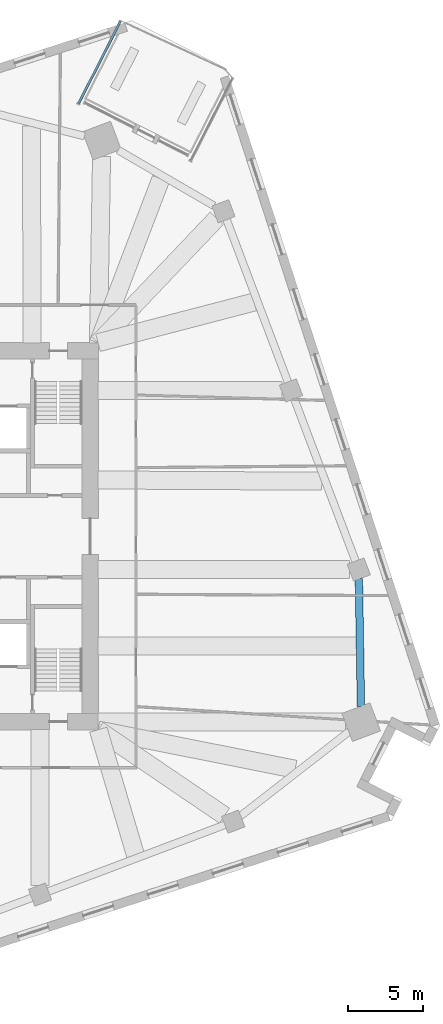
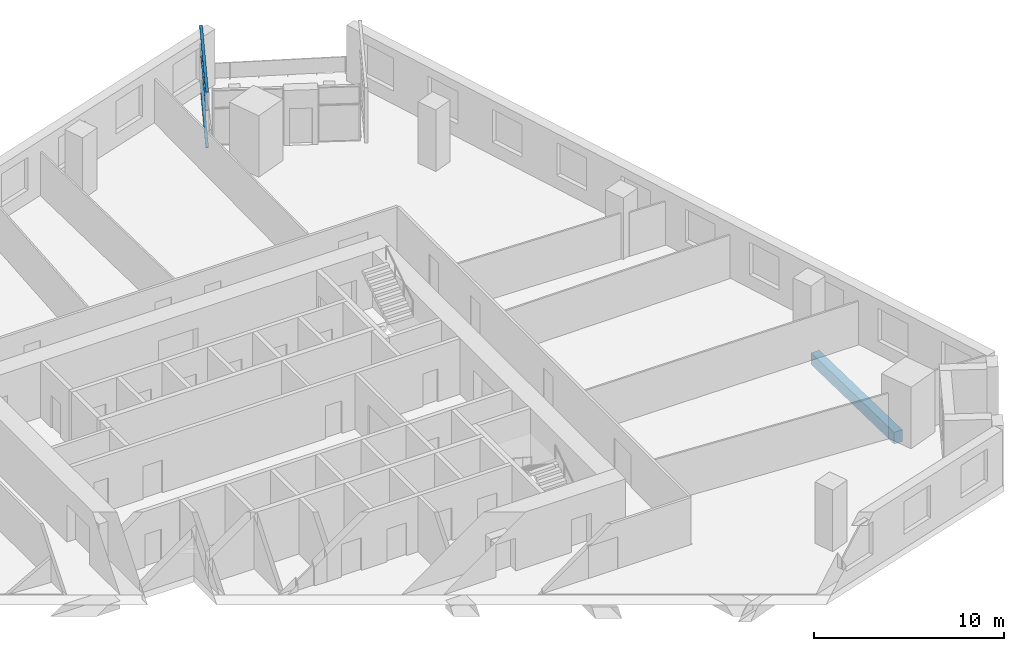
# One storey, part 3 of 12: 3 members, 1 beam, 1 element without a shape of its own.
"""IFC4 building model written with IfcOpenShell, lengths in metres."""

from ifc_helpers import new_model, si_unit, direction, frame, origin, origin_2d, place, context, subcontext, project, spatial, rectangle, extrude, material, material_profile, profile_set, type_object, element, aggregate, save


model = new_model("IFC4")

# Units and contexts
model_context = context("Model", 3, precision=1e-05, world=origin(), true_north=direction((0.0, 1.0)))
body_context = subcontext(model_context, "Body", "Model", "MODEL_VIEW")
ifc_project = project(units=[si_unit("LENGTHUNIT", "METRE"), si_unit("AREAUNIT", "SQUARE_METRE"), si_unit("VOLUMEUNIT", "CUBIC_METRE"), si_unit("PLANEANGLEUNIT", "RADIAN"), si_unit("MASSUNIT", "GRAM", prefix="KILO")], contexts=[model_context])

# Site, building, storey
site_placement = place(None, origin())
site = spatial("IfcSite", under=ifc_project, at=site_placement, CompositionType="ELEMENT")
building_placement = place(site_placement, origin())
building = spatial("IfcBuilding", under=site, at=building_placement, Name="Dilmun Exchange Tower", CompositionType="ELEMENT")
storey_placement = place(building_placement, frame((0.0, 0.0, 90.10009765625)))
storey = spatial("IfcBuildingStorey", under=building, at=storey_placement, Name="L20", CompositionType="ELEMENT", Elevation=90.10009765625)

# Curtain wall, members
ifc_material_1 = material(Name="Anodised aluminium and clear glass", Category="aluminium")
curtain_wall_type = type_object("IfcCurtainWallType", Name="Garden corner glazing", PredefinedType="NOTDEFINED", material=ifc_material_1)
curtain_wall_placement = place(storey_placement, origin())
curtain_wall = element("IfcCurtainWall", 1, at=curtain_wall_placement, inside=storey, type_object=curtain_wall_type, Name="Garden corner glazing run GC3.1", PredefinedType="NOTDEFINED")
ifc_material_2 = material(Name="Anodised aluminium", Category="aluminium")
ifc_material_profile_1 = material_profile(ifc_material_2, rectangle(XDim=0.159912109375, YDim=0.06005859375, at=origin_2d()), Name="AL 60x160")
ifc_profile_set_1 = profile_set([ifc_material_profile_1], Name="Anodised aluminium")
member_type = type_object("IfcMemberType", Name="Garden corner glazing transom 60 x 160", PredefinedType="USERDEFINED", material=ifc_profile_set_1)
member_1_placement = place(storey_placement, frame((11.572509765625, 28.824462890625, 0.02978515625), z_axis=(0.453975328977, 0.891014253915, 0.0), x_axis=(-0.891014253915, 0.453975328977, 0.0)))
member_1 = element("IfcMember", 2, at=member_1_placement, type_object=member_type, Name="GC3.1 transom 1.1", ObjectType="TRANSOM", PredefinedType="USERDEFINED", context=body_context, shape_type="SweptSolid", body=[
    extrude(rectangle(XDim=0.159912109375, YDim=0.06005859375, at=origin_2d()), origin(), (0.0, 0.0, 1.0), 6.12646484375),
])
member_2_placement = place(storey_placement, frame((11.572509765625, 28.824462890625, 2.39990234375), z_axis=(0.453975328977, 0.891014253915, 0.0), x_axis=(-0.891014253915, 0.453975328977, 0.0)))
member_2 = element("IfcMember", 3, at=member_2_placement, type_object=member_type, Name="GC3.1 transom 1.2", ObjectType="TRANSOM", PredefinedType="USERDEFINED", context=body_context, shape_type="SweptSolid", body=[
    extrude(rectangle(XDim=0.159912109375, YDim=0.06005859375, at=origin_2d()), origin(), (0.0, 0.0, 1.0), 6.12646484375),
])
member_3_placement = place(storey_placement, frame((11.572509765625, 28.824462890625, 3.5498046875), z_axis=(0.453975328977, 0.891014253915, 0.0), x_axis=(-0.891014253915, 0.453975328977, 0.0)))
member_3 = element("IfcMember", 4, at=member_3_placement, type_object=member_type, Name="GC3.1 transom 1.3", ObjectType="TRANSOM", PredefinedType="USERDEFINED", context=body_context, shape_type="SweptSolid", body=[
    extrude(rectangle(XDim=0.159912109375, YDim=0.06005859375, at=origin_2d()), origin(), (0.0, 0.0, 1.0), 6.12646484375),
])
aggregate(curtain_wall, [member_1, member_2, member_3])

# Beam
ifc_material_3 = material(Name="Concrete C40/50", Category="concrete")
ifc_material_profile_2 = material_profile(ifc_material_3, rectangle(XDim=0.5, YDim=0.75, at=origin_2d()), Name="500 x 750")
ifc_profile_set_2 = profile_set([ifc_material_profile_2], Name="Concrete C40/50")
beam_type = type_object("IfcBeamType", Name="RC ring beam 500 x 750 C40/50", PredefinedType="SPANDREL", material=ifc_profile_set_2)
beam_placement = place(storey_placement, frame((30.37744140625, -11.33544921875, -0.795166015625), z_axis=(-0.016054357527, 0.999871120497, 0.0), x_axis=(-0.999871120497, -0.016054357527, 0.0)))
element("IfcBeam", 5, at=beam_placement, inside=storey, type_object=beam_type, Name="Ring beam 13", PredefinedType="SPANDREL", context=body_context, shape_type="SweptSolid", body=[
    extrude(rectangle(XDim=0.5, YDim=0.75, at=origin_2d()), origin(), (0.0, 0.0, 1.0), 8.515869140625),
])

save(model, "model.ifc")
